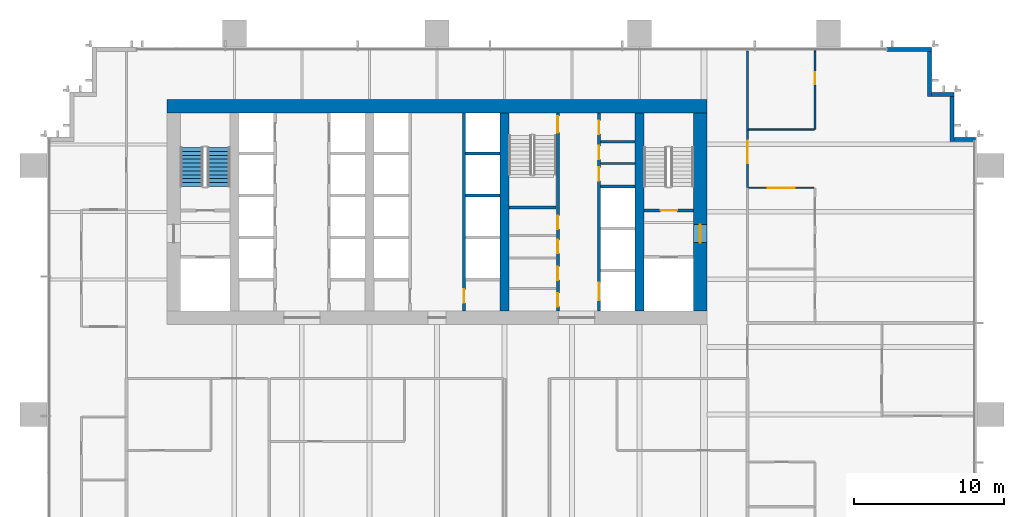
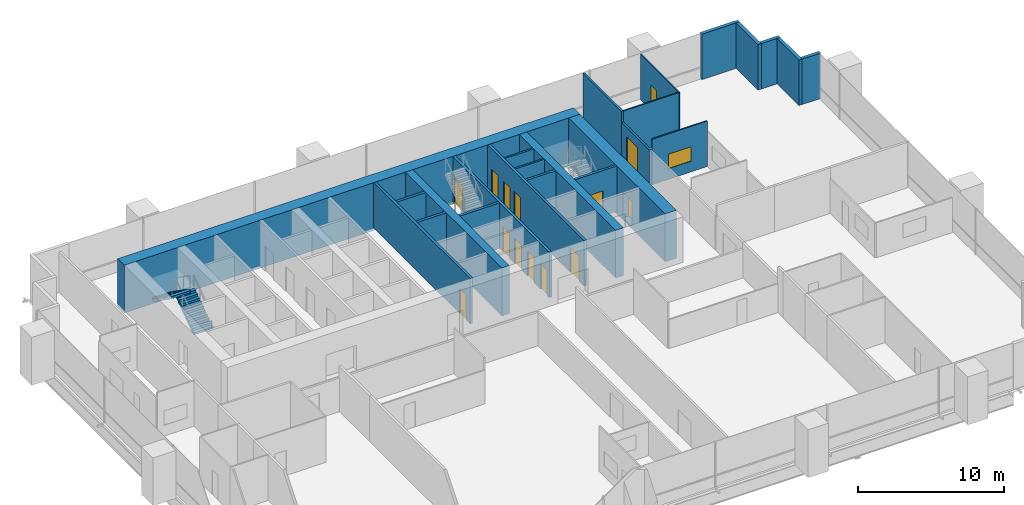
# One storey, part 15 of 17: 24 walls, 14 doors, 2 stair flights, 1 window, 15 openings, 1 element without a shape of its own.
"""IFC4 building model written with IfcOpenShell, lengths in metres."""

from ifc_helpers import new_model, si_unit, direction, frame, frame_2d, origin, place, context, subcontext, project, spatial, polyline, rectangle, outline, extrude, material, layer, layer_set, type_object, element, fill, aggregate, save


model = new_model("IFC4")

# Units and contexts
model_context = context("Model", 3, precision=1e-05, world=origin(), true_north=direction((0.0, 1.0)))
body_context = subcontext(model_context, "Body", "Model", "MODEL_VIEW")
ifc_project = project(units=[si_unit("LENGTHUNIT", "METRE"), si_unit("AREAUNIT", "SQUARE_METRE"), si_unit("VOLUMEUNIT", "CUBIC_METRE"), si_unit("PLANEANGLEUNIT", "RADIAN"), si_unit("MASSUNIT", "GRAM", prefix="KILO")], contexts=[model_context])

# Site, building, storey
site_placement = place(None, origin())
site = spatial("IfcSite", under=ifc_project, at=site_placement, CompositionType="ELEMENT")
building_placement = place(site_placement, origin())
building = spatial("IfcBuilding", under=site, at=building_placement, Name="Rattan Terrace Tower", CompositionType="ELEMENT")
storey_placement = place(building_placement, frame((0.0, 0.0, 95.699951171875)))
storey = spatial("IfcBuildingStorey", under=building, at=storey_placement, Name="L21", CompositionType="ELEMENT", Elevation=95.699951171875)

# Walls
ifc_material_1 = material(Name="Gypsum board partition")
ifc_layer_1 = layer(ifc_material_1, 0.14990234375)
ifc_layer_set_1 = layer_set([ifc_layer_1], Name="Core partition 150")
wall_type_1 = type_object("IfcWallType", Name="Core partition 150", PredefinedType="PARTITIONING", material=ifc_layer_set_1)
for number, where, z_axis, x_axis, name in (
    (1, (10.89990234375, 3.239990234375, 0.0), (0.0, 0.0, 1.0), (1.0, 0.0, 0.0), "Riser room wall"),
    (2, (10.89990234375, 4.679931640625, 0.0), (0.0, 0.0, 1.0), (1.0, 0.0, 0.0), "Riser room wall"),
):
    element("IfcWall", number, at=place(storey_placement, frame(where, z_axis=z_axis, x_axis=x_axis)), inside=storey, type_object=wall_type_1, Name=name, PredefinedType="PARTITIONING", context=body_context, shape_type="SweptSolid", body=[
        extrude(rectangle(XDim=2.300048828125, YDim=0.14990234375, at=frame_2d((1.14990234375, 0.0))), origin(), (0.0, 0.0, 1.0), 3.800048828125),
    ])

# Wall, opening, door
ifc_material_2 = material(Name="Gypsum board partition")
ifc_layer_2 = layer(ifc_material_2, 0.199951171875)
ifc_layer_set_2 = layer_set([ifc_layer_2], Name="Core partition 200")
wall_type_2 = type_object("IfcWallType", Name="Core partition 200", PredefinedType="PARTITIONING", material=ifc_layer_set_2)
wall_1_placement = place(storey_placement, frame((13.800048828125, 0.10009765625, 0.0), z_axis=(0.0, 0.0, 1.0), x_axis=(1.0, 0.0, 0.0)))
wall_1 = element("IfcWall", 3, at=wall_1_placement, inside=storey, type_object=wall_type_2, Name="Stair enclosure wall", PredefinedType="PARTITIONING", context=body_context, shape_type="SweptSolid", body=[
    extrude(rectangle(XDim=3.300048828125, YDim=0.199951171875, at=frame_2d((1.64990234375, 0.0))), origin(), (0.0, 0.0, 1.0), 3.800048828125),
])
opening_1_placement = place(wall_1_placement, frame((1.10009765625, 0.0, 0.0)))
opening_1 = element("IfcOpeningElement", 4, at=opening_1_placement, cuts=wall_1, Name="Opening L21-D004", PredefinedType="OPENING", context=body_context, shape_type="SweptSolid", body=[
    extrude(rectangle(XDim=1.10009765625, YDim=2.10009765625, at=frame_2d((0.550048828125, 1.050048828125))), frame((0.0, 0.110595703125, 0.0), z_axis=(0.0, -1.0, 0.0), x_axis=(1.0, 0.0, 0.0)), (0.0, 0.0, 1.0), 0.220947265625),
])
ifc_material_3 = material(Name="Hollow-metal fire door leaf")
door_type_1 = type_object("IfcDoorType", Name="Core stair door 1100", OperationType="NOTDEFINED", PredefinedType="DOOR", material=ifc_material_3)
door_1_placement = place(opening_1_placement, origin())
door_1 = element("IfcDoor", 5, at=door_1_placement, inside=storey, type_object=door_type_1, Name="Door L21-D004", OperationType="SINGLE_SWING_RIGHT", OverallHeight=2.10009765625, OverallWidth=1.10009765625, PredefinedType="DOOR", context=body_context, shape_type="SweptSolid", body=[
    extrude(rectangle(XDim=1.10009765625, YDim=2.10009765625, at=frame_2d((0.550048828125, 1.050048828125))), frame((0.0, 0.02490234375, 0.0), z_axis=(0.0, -1.0, 0.0), x_axis=(1.0, 0.0, 0.0)), (0.0, 0.0, 1.0), 0.050048828125),
])
fill(opening_1, door_1)

# Wall, openings, doors
wall_2_placement = place(storey_placement, frame((8.050048828125, -6.60009765625, 0.0), z_axis=(0.0, 0.0, 1.0), x_axis=(0.0, 1.0, 0.0)))
wall_2 = element("IfcWall", 6, at=wall_2_placement, inside=storey, type_object=wall_type_2, Name="Lobby wall west", PredefinedType="PARTITIONING", context=body_context, shape_type="SweptSolid", body=[
    extrude(rectangle(XDim=13.2001953125, YDim=0.199951171875, at=frame_2d((6.60009765625, 0.0))), origin(), (0.0, 0.0, 1.0), 3.800048828125),
])
opening_2_placement = place(wall_2_placement, frame((0.298095703125, 0.0, 0.0)))
opening_2 = element("IfcOpeningElement", 7, at=opening_2_placement, cuts=wall_2, Name="Opening L21-D011", PredefinedType="OPENING", context=body_context, shape_type="SweptSolid", body=[
    extrude(rectangle(XDim=0.89990234375, YDim=2.10009765625, at=frame_2d((0.449951171875, 1.050048828125))), frame((0.0, 0.110595703125, 0.0), z_axis=(0.0, -1.0, 0.0), x_axis=(1.0, 0.0, 0.0)), (0.0, 0.0, 1.0), 0.220947265625),
])
opening_3_placement = place(wall_2_placement, frame((2.06591796875, 0.0, 0.0)))
opening_3 = element("IfcOpeningElement", 8, at=opening_3_placement, cuts=wall_2, Name="Opening L21-D012", PredefinedType="OPENING", context=body_context, shape_type="SweptSolid", body=[
    extrude(rectangle(XDim=0.89990234375, YDim=2.10009765625, at=frame_2d((0.449951171875, 1.050048828125))), frame((0.0, 0.110595703125, 0.0), z_axis=(0.0, -1.0, 0.0), x_axis=(1.0, 0.0, 0.0)), (0.0, 0.0, 1.0), 0.220947265625),
])
opening_4_placement = place(wall_2_placement, frame((3.833984375, 0.0, 0.0)))
opening_4 = element("IfcOpeningElement", 9, at=opening_4_placement, cuts=wall_2, Name="Opening L21-D013", PredefinedType="OPENING", context=body_context, shape_type="SweptSolid", body=[
    extrude(rectangle(XDim=0.89990234375, YDim=2.10009765625, at=frame_2d((0.449951171875, 1.050048828125))), frame((0.0, 0.110595703125, 0.0), z_axis=(0.0, -1.0, 0.0), x_axis=(1.0, 0.0, 0.0)), (0.0, 0.0, 1.0), 0.220947265625),
])
opening_5_placement = place(wall_2_placement, frame((5.466064453125, 0.0, 0.0)))
opening_5 = element("IfcOpeningElement", 10, at=opening_5_placement, cuts=wall_2, Name="Opening L21-D014", PredefinedType="OPENING", context=body_context, shape_type="SweptSolid", body=[
    extrude(rectangle(XDim=0.89990234375, YDim=2.10009765625, at=frame_2d((0.449951171875, 1.050048828125))), frame((0.0, 0.110595703125, 0.0), z_axis=(0.0, -1.0, 0.0), x_axis=(1.0, 0.0, 0.0)), (0.0, 0.0, 1.0), 0.220947265625),
])
opening_6_placement = place(wall_2_placement, frame((11.89990234375, 0.0, 0.0)))
opening_6 = element("IfcOpeningElement", 11, at=opening_6_placement, cuts=wall_2, Name="Opening L21-D015", PredefinedType="OPENING", context=body_context, shape_type="SweptSolid", body=[
    extrude(rectangle(XDim=1.10009765625, YDim=2.10009765625, at=frame_2d((0.550048828125, 1.050048828125))), frame((0.0, 0.110595703125, 0.0), z_axis=(0.0, -1.0, 0.0), x_axis=(1.0, 0.0, 0.0)), (0.0, 0.0, 1.0), 0.220947265625),
])
ifc_material_4 = material(Name="Hollow-metal fire door leaf")
door_type_2 = type_object("IfcDoorType", Name="Core service room door 900", OperationType="NOTDEFINED", PredefinedType="DOOR", material=ifc_material_4)
door_2_placement = place(opening_5_placement, origin())
door_2 = element("IfcDoor", 12, at=door_2_placement, inside=storey, type_object=door_type_2, Name="Door L21-D014", OperationType="SINGLE_SWING_LEFT", OverallHeight=2.10009765625, OverallWidth=0.89990234375, PredefinedType="DOOR", context=body_context, shape_type="SweptSolid", body=[
    extrude(rectangle(XDim=0.89990234375, YDim=2.10009765625, at=frame_2d((0.449951171875, 1.050048828125))), frame((0.0, 0.02490234375, 0.0), z_axis=(0.0, -1.0, 0.0), x_axis=(1.0, 0.0, 0.0)), (0.0, 0.0, 1.0), 0.050048828125),
])
fill(opening_5, door_2)
door_3_placement = place(opening_6_placement, origin())
door_3 = element("IfcDoor", 13, at=door_3_placement, inside=storey, type_object=door_type_1, Name="Door L21-D015", OperationType="SINGLE_SWING_RIGHT", OverallHeight=2.10009765625, OverallWidth=1.10009765625, PredefinedType="DOOR", context=body_context, shape_type="SweptSolid", body=[
    extrude(rectangle(XDim=1.10009765625, YDim=2.10009765625, at=frame_2d((0.550048828125, 1.050048828125))), frame((0.0, 0.02490234375, 0.0), z_axis=(0.0, -1.0, 0.0), x_axis=(1.0, 0.0, 0.0)), (0.0, 0.0, 1.0), 0.050048828125),
])
fill(opening_6, door_3)
ifc_material_5 = material(Name="Hollow-metal fire door leaf")
door_type_3 = type_object("IfcDoorType", Name="Core toilet door 900", OperationType="NOTDEFINED", PredefinedType="DOOR", material=ifc_material_5)
door_4_placement = place(opening_2_placement, origin())
door_4 = element("IfcDoor", 14, at=door_4_placement, inside=storey, type_object=door_type_3, Name="Door L21-D011", OperationType="SINGLE_SWING_RIGHT", OverallHeight=2.10009765625, OverallWidth=0.89990234375, PredefinedType="DOOR", context=body_context, shape_type="SweptSolid", body=[
    extrude(rectangle(XDim=0.89990234375, YDim=2.10009765625, at=frame_2d((0.449951171875, 1.050048828125))), frame((0.0, 0.02490234375, 0.0), z_axis=(0.0, -1.0, 0.0), x_axis=(1.0, 0.0, 0.0)), (0.0, 0.0, 1.0), 0.050048828125),
])
fill(opening_2, door_4)
door_5_placement = place(opening_3_placement, origin())
door_5 = element("IfcDoor", 15, at=door_5_placement, inside=storey, type_object=door_type_3, Name="Door L21-D012", OperationType="SINGLE_SWING_LEFT", OverallHeight=2.10009765625, OverallWidth=0.89990234375, PredefinedType="DOOR", context=body_context, shape_type="SweptSolid", body=[
    extrude(rectangle(XDim=0.89990234375, YDim=2.10009765625, at=frame_2d((0.449951171875, 1.050048828125))), frame((0.0, 0.02490234375, 0.0), z_axis=(0.0, -1.0, 0.0), x_axis=(1.0, 0.0, 0.0)), (0.0, 0.0, 1.0), 0.050048828125),
])
fill(opening_3, door_5)
door_6_placement = place(opening_4_placement, origin())
door_6 = element("IfcDoor", 16, at=door_6_placement, inside=storey, type_object=door_type_3, Name="Door L21-D013", OperationType="SINGLE_SWING_RIGHT", OverallHeight=2.10009765625, OverallWidth=0.89990234375, PredefinedType="DOOR", context=body_context, shape_type="SweptSolid", body=[
    extrude(rectangle(XDim=0.89990234375, YDim=2.10009765625, at=frame_2d((0.449951171875, 1.050048828125))), frame((0.0, 0.02490234375, 0.0), z_axis=(0.0, -1.0, 0.0), x_axis=(1.0, 0.0, 0.0)), (0.0, 0.0, 1.0), 0.050048828125),
])
fill(opening_4, door_6)

# Walls
wall_3_placement = place(storey_placement, frame((4.800048828125, 0.300048828125, 0.0), z_axis=(0.0, 0.0, 1.0), x_axis=(1.0, 0.0, 0.0)))
element("IfcWall", 17, at=wall_3_placement, inside=storey, type_object=wall_type_2, Name="Stair enclosure wall", PredefinedType="PARTITIONING", context=body_context, shape_type="SweptSolid", body=[
    extrude(rectangle(XDim=3.14990234375, YDim=0.199951171875, at=frame_2d((1.574951171875, 0.0))), origin(), (0.0, 0.0, 1.0), 3.800048828125),
])
ifc_material_6 = material(Name="Concrete C70/85", Category="concrete")
ifc_layer_3 = layer(ifc_material_6, 0.89990234375)
ifc_layer_set_3 = layer_set([ifc_layer_3], Name="Core ring wall 900 C70/85")
wall_type_3 = type_object("IfcWallType", Name="Core ring wall 900 C70/85", PredefinedType="SHEAR", material=ifc_layer_set_3)
wall_4_placement = place(storey_placement, frame((-18.0, 7.050048828125, -0.199951171875), z_axis=(0.0, 0.0, 1.0), x_axis=(1.0, 0.0, 0.0)))
element("IfcWall", 18, at=wall_4_placement, inside=storey, type_object=wall_type_3, Name="Rear core wall north", PredefinedType="SHEAR", context=body_context, shape_type="SweptSolid", body=[
    extrude(rectangle(XDim=36.0, YDim=0.89990234375, at=frame_2d((18.0, 0.0))), origin(), (0.0, 0.0, 1.0), 4.0),
])

# Wall, opening, door
wall_5_placement = place(storey_placement, frame((17.550048828125, -6.60009765625, -0.199951171875), z_axis=(0.0, 0.0, 1.0), x_axis=(0.0, 1.0, 0.0)))
wall_5 = element("IfcWall", 19, at=wall_5_placement, inside=storey, type_object=wall_type_3, Name="Rear core wall east", PredefinedType="SHEAR", context=body_context, shape_type="SweptSolid", body=[
    extrude(rectangle(XDim=13.2001953125, YDim=0.89990234375, at=frame_2d((6.60009765625, 0.0))), origin(), (0.0, 0.0, 1.0), 4.0),
])
opening_7_placement = place(wall_5_placement, frame((4.550048828125, 0.0, 0.199951171875)))
opening_7 = element("IfcOpeningElement", 20, at=opening_7_placement, cuts=wall_5, Name="Opening L21-D003", PredefinedType="OPENING", context=body_context, shape_type="SweptSolid", body=[
    extrude(rectangle(XDim=1.199951171875, YDim=2.10009765625, at=frame_2d((0.60009765625, 1.050048828125))), frame((0.0, 0.46044921875, 0.0), z_axis=(0.0, -1.0, 0.0), x_axis=(1.0, 0.0, 0.0)), (0.0, 0.0, 1.0), 0.9208984375),
])
ifc_material_7 = material(Name="Hollow-metal fire door leaf")
door_type_4 = type_object("IfcDoorType", Name="Core fire-fighting lobby door 1200", OperationType="NOTDEFINED", PredefinedType="DOOR", material=ifc_material_7)
door_7_placement = place(opening_7_placement, origin())
door_7 = element("IfcDoor", 21, at=door_7_placement, inside=storey, type_object=door_type_4, Name="Door L21-D003", OperationType="SINGLE_SWING_LEFT", OverallHeight=2.10009765625, OverallWidth=1.199951171875, PredefinedType="DOOR", context=body_context, shape_type="SweptSolid", body=[
    extrude(rectangle(XDim=1.199951171875, YDim=2.10009765625, at=frame_2d((0.60009765625, 1.050048828125))), frame((0.0, 0.02490234375, 0.0), z_axis=(0.0, -1.0, 0.0), x_axis=(1.0, 0.0, 0.0)), (0.0, 0.0, 1.0), 0.050048828125),
])
fill(opening_7, door_7)

# Walls
ifc_material_8 = material(Name="Concrete C70/85", Category="concrete")
ifc_layer_4 = layer(ifc_material_8, 0.60009765625)
ifc_layer_set_4 = layer_set([ifc_layer_4], Name="Core spine wall 600 C70/85")
wall_type_4 = type_object("IfcWallType", Name="Core spine wall 600 C70/85", PredefinedType="SHEAR", material=ifc_layer_set_4)
for number, where, z_axis, x_axis, name in (
    (22, (4.5, -6.60009765625, -0.199951171875), (0.0, 0.0, 1.0), (0.0, 1.0, 0.0), "Core spine wall 3"),
    (23, (13.5, -6.60009765625, -0.199951171875), (0.0, 0.0, 1.0), (0.0, 1.0, 0.0), "Core spine wall 4"),
):
    element("IfcWall", number, at=place(storey_placement, frame(where, z_axis=z_axis, x_axis=x_axis)), inside=storey, type_object=wall_type_4, Name=name, PredefinedType="SHEAR", context=body_context, shape_type="SweptSolid", body=[
        extrude(rectangle(XDim=13.2001953125, YDim=0.60009765625, at=frame_2d((6.60009765625, 0.0))), origin(), (0.0, 0.0, 1.0), 4.0),
    ])
ifc_material_9 = material(Name="Insulated aluminium-clad stud wall", Category="aluminium")
ifc_layer_5 = layer(ifc_material_9, 0.25)
ifc_layer_set_5 = layer_set([ifc_layer_5], Name="Facade Riser Wall 250")
wall_type_5 = type_object("IfcWallType", Name="Facade Riser Wall 250", PredefinedType="SOLIDWALL", material=ifc_layer_set_5)
wall_6_placement = place(storey_placement, frame((35.909912109375, 4.830078125, 0.0), z_axis=(0.0, 0.0, 1.0), x_axis=(-1.0, 0.0, 0.0)))
element("IfcWall", 24, at=wall_6_placement, inside=storey, type_object=wall_type_5, Name="Riser wall L21-6", PredefinedType="SOLIDWALL", context=body_context, shape_type="SweptSolid", body=[
    extrude(rectangle(XDim=1.454833984375, YDim=0.25, at=frame_2d((0.7275390625, 0.0))), origin(), (0.0, 0.0, 1.0), 3.800048828125),
])
wall_7_placement = place(storey_placement, frame((34.330078125, 4.705078125, 0.0), z_axis=(0.0, 0.0, 1.0), x_axis=(0.0, 1.0, 0.0)))
element("IfcWall", 25, at=wall_7_placement, inside=storey, type_object=wall_type_5, Name="Riser wall L21-7", PredefinedType="SOLIDWALL", context=body_context, shape_type="SweptSolid", body=[
    extrude(rectangle(XDim=3.0, YDim=0.25, at=frame_2d((1.5, 0.0))), origin(), (0.0, 0.0, 1.0), 3.800048828125),
])
wall_8_placement = place(storey_placement, frame((34.455078125, 7.830078125, 0.0), z_axis=(0.0, 0.0, 1.0), x_axis=(-1.0, 0.0, 0.0)))
element("IfcWall", 26, at=wall_8_placement, inside=storey, type_object=wall_type_5, Name="Riser wall L21-8", PredefinedType="SOLIDWALL", context=body_context, shape_type="SweptSolid", body=[
    extrude(rectangle(XDim=1.5, YDim=0.25, at=frame_2d((0.75, 0.0))), origin(), (0.0, 0.0, 1.0), 3.800048828125),
])
wall_9_placement = place(storey_placement, frame((32.830078125, 7.705078125, 0.0), z_axis=(0.0, 0.0, 1.0), x_axis=(0.0, 1.0, 0.0)))
element("IfcWall", 27, at=wall_9_placement, inside=storey, type_object=wall_type_5, Name="Riser wall L21-9", PredefinedType="SOLIDWALL", context=body_context, shape_type="SweptSolid", body=[
    extrude(rectangle(XDim=3.0, YDim=0.25, at=frame_2d((1.5, 0.0))), origin(), (0.0, 0.0, 1.0), 3.800048828125),
])
wall_10_placement = place(storey_placement, frame((32.955078125, 10.830078125, 0.0), z_axis=(0.0, 0.0, 1.0), x_axis=(-1.0, 0.0, 0.0)))
element("IfcWall", 28, at=wall_10_placement, inside=storey, type_object=wall_type_5, Name="Riser wall L21-10", PredefinedType="SOLIDWALL", context=body_context, shape_type="SweptSolid", body=[
    extrude(rectangle(XDim=2.955078125, YDim=0.25, at=frame_2d((1.4775390625, 0.0))), origin(), (0.0, 0.0, 1.0), 3.800048828125),
])

# Wall, opening, window
ifc_material_10 = material(Name="Gypsum board partition on steel studs", Category="steel")
ifc_layer_6 = layer(ifc_material_10, 0.10009765625)
ifc_layer_set_6 = layer_set([ifc_layer_6], Name="Floors Partition 100")
wall_type_6 = type_object("IfcWallType", Name="Floors Partition 100", PredefinedType="PARTITIONING", material=ifc_layer_set_6)
wall_11_placement = place(storey_placement, frame((25.14990234375, 1.60009765625, 0.0), z_axis=(0.0, 0.0, 1.0), x_axis=(-1.0, 0.0, 0.0)))
wall_11 = element("IfcWall", 29, at=wall_11_placement, inside=storey, type_object=wall_type_6, Name="pt-L21-052", PredefinedType="PARTITIONING", context=body_context, shape_type="SweptSolid", body=[
    extrude(rectangle(XDim=4.375, YDim=0.10009765625, at=frame_2d((2.1875, 0.0))), origin(), (0.0, 0.0, 1.0), 3.800048828125),
])
opening_8_placement = place(wall_11_placement, frame((1.2880859375, 0.0, 0.89990234375)))
opening_8 = element("IfcOpeningElement", 30, at=opening_8_placement, cuts=wall_11, Name="Opening L21-W105", PredefinedType="OPENING", context=body_context, shape_type="SweptSolid", body=[
    extrude(rectangle(XDim=1.800048828125, YDim=1.199951171875, at=frame_2d((0.89990234375, 0.60009765625))), frame((0.0, 0.060546875, 0.0), z_axis=(0.0, -1.0, 0.0), x_axis=(1.0, 0.0, 0.0)), (0.0, 0.0, 1.0), 0.12109375),
])
ifc_material_11 = material(Name="Glass, clear, fixed in aluminium frame", Category="aluminium")
window_type = type_object("IfcWindowType", Name="Interior Vision Window 1800x1200", PartitioningType="SINGLE_PANEL", PredefinedType="WINDOW", material=ifc_material_11)
window_placement = place(opening_8_placement, origin())
window = element("IfcWindow", 31, at=window_placement, inside=storey, type_object=window_type, Name="w-L21-105", OverallHeight=1.199951171875, OverallWidth=1.800048828125, PartitioningType="SINGLE_PANEL", PredefinedType="WINDOW", context=body_context, shape_type="SweptSolid", body=[
    extrude(rectangle(XDim=1.800048828125, YDim=1.199951171875, at=frame_2d((0.89990234375, 0.60009765625))), frame((0.0, 0.030029296875, 0.0), z_axis=(0.0, -1.0, 0.0), x_axis=(1.0, 0.0, 0.0)), (0.0, 0.0, 1.0), 0.06005859375),
])
fill(opening_8, window)

# Wall
wall_12_placement = place(storey_placement, frame((20.77490234375, 5.5, 0.0), z_axis=(0.0, 0.0, 1.0), x_axis=(1.0, 0.0, 0.0)))
element("IfcWall", 32, at=wall_12_placement, inside=storey, type_object=wall_type_6, Name="pt-L21-054", PredefinedType="PARTITIONING", context=body_context, shape_type="SweptSolid", body=[
    extrude(rectangle(XDim=4.375, YDim=0.10009765625, at=frame_2d((2.1875, 0.0))), origin(), (0.0, 0.0, 1.0), 3.800048828125),
])

# Wall, opening, door
wall_13_placement = place(storey_placement, frame((25.199951171875, 5.5, 0.0), z_axis=(0.0, 0.0, 1.0), x_axis=(0.0, 1.0, 0.0)))
wall_13 = element("IfcWall", 33, at=wall_13_placement, inside=storey, type_object=wall_type_6, Name="pt-L21-055", PredefinedType="PARTITIONING", context=body_context, shape_type="SweptSolid", body=[
    extrude(rectangle(XDim=5.239990234375, YDim=0.10009765625, at=frame_2d((2.6201171875, 0.0))), origin(), (0.0, 0.0, 1.0), 3.800048828125),
])
opening_9_placement = place(wall_13_placement, frame((3.008056640625, 0.0, 0.0)))
opening_9 = element("IfcOpeningElement", 34, at=opening_9_placement, cuts=wall_13, Name="Opening L21-D114", PredefinedType="OPENING", context=body_context, shape_type="SweptSolid", body=[
    extrude(rectangle(XDim=0.800048828125, YDim=2.10009765625, at=frame_2d((0.39990234375, 1.050048828125))), frame((0.0, 0.060546875, 0.0), z_axis=(0.0, -1.0, 0.0), x_axis=(1.0, 0.0, 0.0)), (0.0, 0.0, 1.0), 0.12109375),
])
ifc_material_12 = material(Name="Solid core timber door, painted", Category="wood")
door_type_5 = type_object("IfcDoorType", Name="Floors Store Door 800x2100", OperationType="NOTDEFINED", PredefinedType="DOOR", material=ifc_material_12)
door_8_placement = place(opening_9_placement, origin())
door_8 = element("IfcDoor", 35, at=door_8_placement, inside=storey, type_object=door_type_5, Name="d-L21-114", OperationType="SINGLE_SWING_RIGHT", OverallHeight=2.10009765625, OverallWidth=0.800048828125, PredefinedType="DOOR", context=body_context, shape_type="SweptSolid", body=[
    extrude(rectangle(XDim=0.800048828125, YDim=2.10009765625, at=frame_2d((0.39990234375, 1.050048828125))), frame((0.0, 0.02490234375, 0.0), z_axis=(0.0, -1.0, 0.0), x_axis=(1.0, 0.0, 0.0)), (0.0, 0.0, 1.0), 0.050048828125),
])
fill(opening_9, door_8)

ifc_material_13 = material(Name="Gypsum board partition on steel studs, fire rated", Category="steel")
ifc_layer_7 = layer(ifc_material_13, 0.14990234375)
ifc_layer_set_7 = layer_set([ifc_layer_7], Name="Floors Tenancy Wall 150")
wall_type_7 = type_object("IfcWallType", Name="Floors Tenancy Wall 150", PredefinedType="PARTITIONING", material=ifc_layer_set_7)
wall_14_placement = place(storey_placement, frame((20.699951171875, 5.47998046875, 0.0), z_axis=(0.0, 0.0, 1.0), x_axis=(0.0, -1.0, 0.0)))
wall_14 = element("IfcWall", 36, at=wall_14_placement, inside=storey, type_object=wall_type_7, Name="pt-L21-005", PredefinedType="PARTITIONING", context=body_context, shape_type="SweptSolid", body=[
    extrude(rectangle(XDim=3.85986328125, YDim=0.14990234375, at=frame_2d((1.929931640625, 0.0))), origin(), (0.0, 0.0, 1.0), 2.900146484375),
])
opening_10_placement = place(wall_14_placement, frame((0.715087890625, 0.0, 0.0)))
opening_10 = element("IfcOpeningElement", 37, at=opening_10_placement, cuts=wall_14, Name="Opening L21-D111", PredefinedType="OPENING", context=body_context, shape_type="SweptSolid", body=[
    extrude(rectangle(XDim=1.5, YDim=2.10009765625, at=frame_2d((0.75, 1.050048828125))), frame((0.0, 0.08544921875, 0.0), z_axis=(0.0, -1.0, 0.0), x_axis=(1.0, 0.0, 0.0)), (0.0, 0.0, 1.0), 0.1708984375),
])
ifc_material_14 = material(Name="Steel fire door set", Category="steel")
door_type_6 = type_object("IfcDoorType", Name="Floors Unit Door Pair FD30S 1500x2100", OperationType="NOTDEFINED", PredefinedType="DOOR", material=ifc_material_14)
door_9_placement = place(opening_10_placement, origin())
door_9 = element("IfcDoor", 38, at=door_9_placement, inside=storey, type_object=door_type_6, Name="d-L21-111", OperationType="DOUBLE_DOOR_SINGLE_SWING", OverallHeight=2.10009765625, OverallWidth=1.5, PredefinedType="DOOR", context=body_context, shape_type="SweptSolid", body=[
    extrude(rectangle(XDim=1.5, YDim=2.10009765625, at=frame_2d((0.75, 1.050048828125))), frame((0.0, 0.02490234375, 0.0), z_axis=(0.0, -1.0, 0.0), x_axis=(1.0, 0.0, 0.0)), (0.0, 0.0, 1.0), 0.050048828125),
])
fill(opening_10, door_9)

# Wall
wall_15_placement = place(storey_placement, frame((20.699951171875, 10.739990234375, 0.0), z_axis=(0.0, 0.0, 1.0), x_axis=(0.0, -1.0, 0.0)))
element("IfcWall", 39, at=wall_15_placement, inside=storey, type_object=wall_type_7, Name="pt-L21-008", PredefinedType="PARTITIONING", context=body_context, shape_type="SweptSolid", body=[
    extrude(rectangle(XDim=5.260009765625, YDim=0.14990234375, at=frame_2d((2.6298828125, 0.0))), origin(), (0.0, 0.0, 1.0), 3.800048828125),
])

# Wall, opening, door
ifc_material_15 = material(Name="Gypsum shaft wall system")
ifc_layer_8 = layer(ifc_material_15, 0.199951171875)
ifc_layer_set_8 = layer_set([ifc_layer_8], Name="Lift shaft wall 200")
wall_type_8 = type_object("IfcWallType", Name="Lift shaft wall 200", PredefinedType="PARTITIONING", material=ifc_layer_set_8)
wall_16_placement = place(storey_placement, frame((1.800048828125, -6.60009765625, 0.0), z_axis=(0.0, 0.0, 1.0), x_axis=(0.0, 1.0, 0.0)))
wall_16 = element("IfcWall", 40, at=wall_16_placement, inside=storey, type_object=wall_type_8, Name="Lift shaft front wall", PredefinedType="PARTITIONING", context=body_context, shape_type="SweptSolid", body=[
    extrude(rectangle(XDim=13.2001953125, YDim=0.199951171875, at=frame_2d((6.60009765625, 0.0))), origin(), (0.0, 0.0, 1.0), 3.800048828125),
])
opening_11_placement = place(wall_16_placement, frame((0.550048828125, 0.0, 0.0)))
opening_11 = element("IfcOpeningElement", 41, at=opening_11_placement, cuts=wall_16, Name="Opening L21-D009", PredefinedType="OPENING", context=body_context, shape_type="SweptSolid", body=[
    extrude(rectangle(XDim=0.89990234375, YDim=2.10009765625, at=frame_2d((0.449951171875, 1.050048828125))), frame((0.0, 0.110595703125, 0.0), z_axis=(0.0, -1.0, 0.0), x_axis=(1.0, 0.0, 0.0)), (0.0, 0.0, 1.0), 0.220947265625),
])
ifc_material_16 = material(Name="Hollow-metal fire door leaf")
door_type_7 = type_object("IfcDoorType", Name="Core riser door 900", OperationType="NOTDEFINED", PredefinedType="DOOR", material=ifc_material_16)
door_10_placement = place(opening_11_placement, origin())
door_10 = element("IfcDoor", 42, at=door_10_placement, inside=storey, type_object=door_type_7, Name="Door L21-D009", OperationType="SINGLE_SWING_RIGHT", OverallHeight=2.10009765625, OverallWidth=0.89990234375, PredefinedType="DOOR", context=body_context, shape_type="SweptSolid", body=[
    extrude(rectangle(XDim=0.89990234375, YDim=2.10009765625, at=frame_2d((0.449951171875, 1.050048828125))), frame((0.0, 0.02490234375, 0.0), z_axis=(0.0, -1.0, 0.0), x_axis=(1.0, 0.0, 0.0)), (0.0, 0.0, 1.0), 0.050048828125),
])
fill(opening_11, door_10)

# Walls
for number, where, z_axis, x_axis, name in (
    (43, (1.89990234375, 1.10009765625, 0.0), (0.0, 0.0, 1.0), (1.0, 0.0, 0.0), "Lift shaft wall"),
    (44, (1.89990234375, 3.89990234375, 0.0), (0.0, 0.0, 1.0), (1.0, 0.0, 0.0), "Lift shaft wall"),
):
    element("IfcWall", number, at=place(storey_placement, frame(where, z_axis=z_axis, x_axis=x_axis)), inside=storey, type_object=wall_type_8, Name=name, PredefinedType="PARTITIONING", context=body_context, shape_type="SweptSolid", body=[
        extrude(rectangle(XDim=2.300048828125, YDim=0.199951171875, at=frame_2d((1.14990234375, 0.0))), origin(), (0.0, 0.0, 1.0), 3.800048828125),
    ])

# Wall, openings, doors
wall_17_placement = place(storey_placement, frame((10.800048828125, -6.60009765625, 0.0), z_axis=(0.0, 0.0, 1.0), x_axis=(0.0, 1.0, 0.0)))
wall_17 = element("IfcWall", 45, at=wall_17_placement, inside=storey, type_object=wall_type_8, Name="Lift shaft front wall", PredefinedType="PARTITIONING", context=body_context, shape_type="SweptSolid", body=[
    extrude(rectangle(XDim=13.2001953125, YDim=0.199951171875, at=frame_2d((6.60009765625, 0.0))), origin(), (0.0, 0.0, 1.0), 3.800048828125),
])
opening_12_placement = place(wall_17_placement, frame((0.699951171875, 0.0, 0.0)))
opening_12 = element("IfcOpeningElement", 46, at=opening_12_placement, cuts=wall_17, Name="Opening L21-LD-SV1", PredefinedType="OPENING", context=body_context, shape_type="SweptSolid", body=[
    extrude(rectangle(XDim=1.199951171875, YDim=2.10009765625, at=frame_2d((0.60009765625, 1.050048828125))), frame((0.0, 0.110595703125, 0.0), z_axis=(0.0, -1.0, 0.0), x_axis=(1.0, 0.0, 0.0)), (0.0, 0.0, 1.0), 0.220947265625),
])
opening_13_placement = place(wall_17_placement, frame((8.669921875, 0.0, 0.0)))
opening_13 = element("IfcOpeningElement", 47, at=opening_13_placement, cuts=wall_17, Name="Opening L21-D017", PredefinedType="OPENING", context=body_context, shape_type="SweptSolid", body=[
    extrude(rectangle(XDim=0.89990234375, YDim=2.10009765625, at=frame_2d((0.449951171875, 1.050048828125))), frame((0.0, 0.110595703125, 0.0), z_axis=(0.0, -1.0, 0.0), x_axis=(1.0, 0.0, 0.0)), (0.0, 0.0, 1.0), 0.220947265625),
])
opening_14_placement = place(wall_17_placement, frame((10.110107421875, 0.0, 0.0)))
opening_14 = element("IfcOpeningElement", 48, at=opening_14_placement, cuts=wall_17, Name="Opening L21-D018", PredefinedType="OPENING", context=body_context, shape_type="SweptSolid", body=[
    extrude(rectangle(XDim=0.89990234375, YDim=2.10009765625, at=frame_2d((0.449951171875, 1.050048828125))), frame((0.0, 0.110595703125, 0.0), z_axis=(0.0, -1.0, 0.0), x_axis=(1.0, 0.0, 0.0)), (0.0, 0.0, 1.0), 0.220947265625),
])
opening_15_placement = place(wall_17_placement, frame((11.7900390625, 0.0, 0.0)))
opening_15 = element("IfcOpeningElement", 49, at=opening_15_placement, cuts=wall_17, Name="Opening L21-D019", PredefinedType="OPENING", context=body_context, shape_type="SweptSolid", body=[
    extrude(rectangle(XDim=0.89990234375, YDim=2.10009765625, at=frame_2d((0.449951171875, 1.050048828125))), frame((0.0, 0.110595703125, 0.0), z_axis=(0.0, -1.0, 0.0), x_axis=(1.0, 0.0, 0.0)), (0.0, 0.0, 1.0), 0.220947265625),
])
ifc_material_17 = material(Name="Brushed stainless landing door panel")
door_type_8 = type_object("IfcDoorType", Name="Core lift landing door 1200", OperationType="DOUBLE_DOOR_SLIDING", PredefinedType="DOOR", material=ifc_material_17)
door_11_placement = place(opening_12_placement, origin())
door_11 = element("IfcDoor", 50, at=door_11_placement, inside=storey, type_object=door_type_8, Name="Door L21-LD-SV1", OperationType="DOUBLE_DOOR_SLIDING", OverallHeight=2.10009765625, OverallWidth=1.199951171875, PredefinedType="DOOR", context=body_context, shape_type="SweptSolid", body=[
    extrude(rectangle(XDim=1.199951171875, YDim=2.10009765625, at=frame_2d((0.60009765625, 1.050048828125))), frame((0.0, 0.02490234375, 0.0), z_axis=(0.0, -1.0, 0.0), x_axis=(1.0, 0.0, 0.0)), (0.0, 0.0, 1.0), 0.050048828125),
])
fill(opening_12, door_11)
door_12_placement = place(opening_13_placement, origin())
door_12 = element("IfcDoor", 51, at=door_12_placement, inside=storey, type_object=door_type_7, Name="Door L21-D017", OperationType="SINGLE_SWING_LEFT", OverallHeight=2.10009765625, OverallWidth=0.89990234375, PredefinedType="DOOR", context=body_context, shape_type="SweptSolid", body=[
    extrude(rectangle(XDim=0.89990234375, YDim=2.10009765625, at=frame_2d((0.449951171875, 1.050048828125))), frame((0.0, 0.02490234375, 0.0), z_axis=(0.0, -1.0, 0.0), x_axis=(1.0, 0.0, 0.0)), (0.0, 0.0, 1.0), 0.050048828125),
])
fill(opening_13, door_12)
door_13_placement = place(opening_14_placement, origin())
door_13 = element("IfcDoor", 52, at=door_13_placement, inside=storey, type_object=door_type_7, Name="Door L21-D018", OperationType="SINGLE_SWING_RIGHT", OverallHeight=2.10009765625, OverallWidth=0.89990234375, PredefinedType="DOOR", context=body_context, shape_type="SweptSolid", body=[
    extrude(rectangle(XDim=0.89990234375, YDim=2.10009765625, at=frame_2d((0.449951171875, 1.050048828125))), frame((0.0, 0.02490234375, 0.0), z_axis=(0.0, -1.0, 0.0), x_axis=(1.0, 0.0, 0.0)), (0.0, 0.0, 1.0), 0.050048828125),
])
fill(opening_14, door_13)
door_14_placement = place(opening_15_placement, origin())
door_14 = element("IfcDoor", 53, at=door_14_placement, inside=storey, type_object=door_type_2, Name="Door L21-D019", OperationType="SINGLE_SWING_LEFT", OverallHeight=2.10009765625, OverallWidth=0.89990234375, PredefinedType="DOOR", context=body_context, shape_type="SweptSolid", body=[
    extrude(rectangle(XDim=0.89990234375, YDim=2.10009765625, at=frame_2d((0.449951171875, 1.050048828125))), frame((0.0, 0.02490234375, 0.0), z_axis=(0.0, -1.0, 0.0), x_axis=(1.0, 0.0, 0.0)), (0.0, 0.0, 1.0), 0.050048828125),
])
fill(opening_15, door_14)

# Wall
wall_18_placement = place(storey_placement, frame((10.89990234375, 1.699951171875, 0.0), z_axis=(0.0, 0.0, 1.0), x_axis=(1.0, 0.0, 0.0)))
element("IfcWall", 54, at=wall_18_placement, inside=storey, type_object=wall_type_8, Name="Lift shaft wall", PredefinedType="PARTITIONING", context=body_context, shape_type="SweptSolid", body=[
    extrude(rectangle(XDim=2.300048828125, YDim=0.199951171875, at=frame_2d((1.14990234375, 0.0))), origin(), (0.0, 0.0, 1.0), 3.800048828125),
])

# Stair, stair flights
ifc_material_18 = material(Name="Concrete C40/50", Category="concrete")
stair_type = type_object("IfcStairType", Name="Core exit stair 1500", PredefinedType="HALF_TURN_STAIR", material=ifc_material_18)
stair_placement = place(storey_placement, origin())
stair = element("IfcStair", 55, at=stair_placement, inside=storey, type_object=stair_type, Name="L21 exit stair 1", PredefinedType="HALF_TURN_STAIR")
ifc_material_19 = material(Name="Concrete C40/50", Category="concrete")
stair_flight_type = type_object("IfcStairFlightType", Name="Core exit stair flight 1500", PredefinedType="STRAIGHT", material=ifc_material_19)
stair_flight_1_placement = place(storey_placement, frame((-14.550048828125, 1.699951171875, 0.0), z_axis=(0.0, 0.0, 1.0), x_axis=(0.0, 1.0, 0.0)))
stair_flight_1 = element("IfcStairFlight", 56, at=stair_flight_1_placement, type_object=stair_flight_type, Name="S1 flight 1", NumberOfRisers=11, NumberOfTreads=10, PredefinedType="STRAIGHT", RiserHeight=0.181818182, TreadLength=0.26, context=body_context, shape_type="SweptSolid", body=[
    extrude(outline(polyline([(0.0, 0.0), (0.0, 0.181884765625), (0.260009765625, 0.181884765625), (0.260009765625, 0.363525390625), (0.52001953125, 0.363525390625), (0.52001953125, 0.54541015625), (0.780029296875, 0.54541015625), (0.780029296875, 0.727294921875), (1.0400390625, 0.727294921875), (1.0400390625, 0.9091796875), (1.300048828125, 0.9091796875), (1.300048828125, 1.0908203125), (1.56005859375, 1.0908203125), (1.56005859375, 1.272705078125), (1.820068359375, 1.272705078125), (1.820068359375, 1.45458984375), (2.080078125, 1.45458984375), (2.080078125, 1.636474609375), (2.340087890625, 1.636474609375), (2.340087890625, 1.818115234375), (2.60009765625, 1.818115234375), (2.60009765625, 2.0), (2.60009765625, 1.63525390625), (0.261474609375, 0.0), (0.0, 0.0)])), frame((0.0, 0.75, 0.0), z_axis=(0.0, -1.0, 0.0), x_axis=(1.0, 0.0, 0.0)), (0.0, 0.0, 1.0), 1.5),
])
stair_flight_2_placement = place(storey_placement, frame((-16.35009765625, 4.300048828125, 2.0), z_axis=(0.0, 0.0, 1.0), x_axis=(0.0, -1.0, 0.0)))
stair_flight_2 = element("IfcStairFlight", 57, at=stair_flight_2_placement, type_object=stair_flight_type, Name="S1 flight 2", NumberOfRisers=11, NumberOfTreads=10, PredefinedType="STRAIGHT", RiserHeight=0.181818182, TreadLength=0.26, context=body_context, shape_type="SweptSolid", body=[
    extrude(outline(polyline([(0.0, 0.0), (0.0, 0.181884765625), (0.260009765625, 0.181884765625), (0.260009765625, 0.363525390625), (0.52001953125, 0.363525390625), (0.52001953125, 0.54541015625), (0.780029296875, 0.54541015625), (0.780029296875, 0.727294921875), (1.0400390625, 0.727294921875), (1.0400390625, 0.9091796875), (1.300048828125, 0.9091796875), (1.300048828125, 1.0908203125), (1.56005859375, 1.0908203125), (1.56005859375, 1.272705078125), (1.820068359375, 1.272705078125), (1.820068359375, 1.45458984375), (2.080078125, 1.45458984375), (2.080078125, 1.636474609375), (2.340087890625, 1.636474609375), (2.340087890625, 1.818115234375), (2.60009765625, 1.818115234375), (2.60009765625, 2.0), (2.60009765625, 1.63525390625), (0.261474609375, 0.0), (0.0, 0.0)])), frame((0.0, 0.75, 0.0), z_axis=(0.0, -1.0, 0.0), x_axis=(1.0, 0.0, 0.0)), (0.0, 0.0, 1.0), 1.5),
])
aggregate(stair, [stair_flight_1, stair_flight_2])

save(model, "model.ifc")
